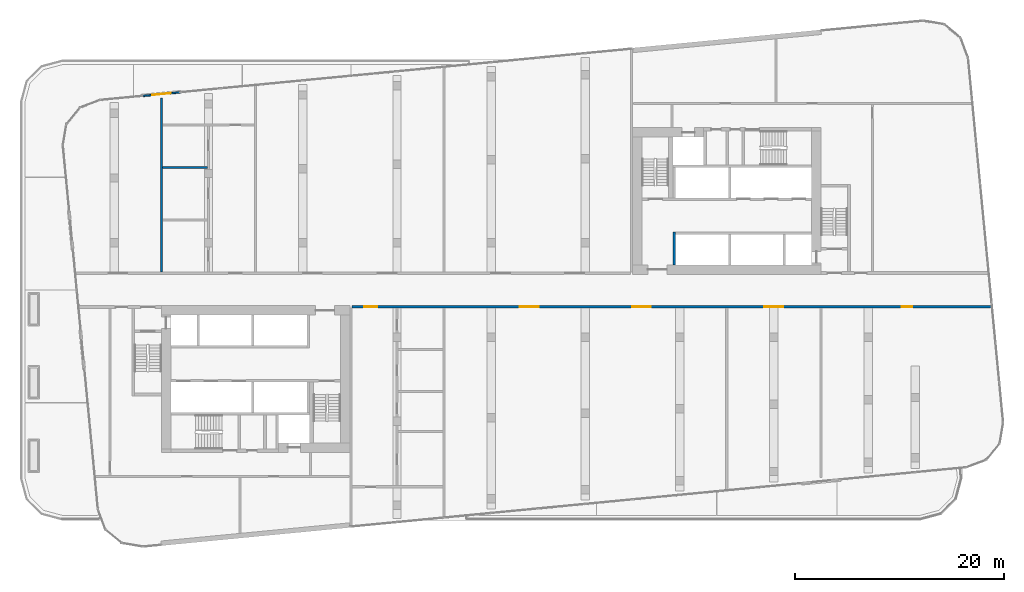
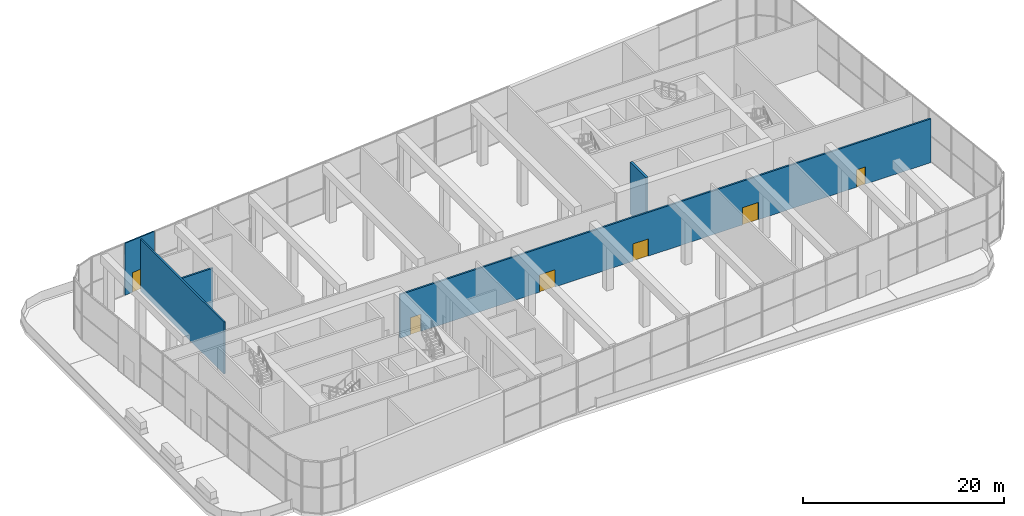
# One storey, part 14 of 25: 6 doors, 5 walls, 6 openings.
"""IFC4 building model written with IfcOpenShell, lengths in metres."""

import ifcopenshell
import ifcopenshell.guid

model = None  # the IFC model being written
_history = None  # IfcOwnerHistory: only IFC2X3 demands one
_inside = {}  # id of a spatial element -> (the spatial element, [elements in it])
_under = {}  # id of a project, library or spatial element -> (it, [spatial elements below it])
_declared = {}  # id of a project -> (the project, [libraries it declares])
_typed = {}  # id of a type object -> (the type object, [elements of that type])
_made_of = {}  # id of a material, layer set ... -> (it, [elements and type objects made of it])


def new_model(schema):
    """Start an empty IFC model of exactly this schema.

    Asked for "IFC4X3", IfcOpenShell would pick the latest addendum, in which some entities
    have other attributes; the version numbers below select the first issue.
    IFC2X3 requires an IfcOwnerHistory on every rooted entity: one is made here for all.
    """
    global model, _history
    if schema == "IFC4X3":
        model = ifcopenshell.file(schema_version=(4, 3, 0, 0))
    else:
        model = ifcopenshell.file(schema=schema)
    _inside.clear()
    _under.clear()
    _declared.clear()
    _typed.clear()
    _made_of.clear()
    _history = None
    if model.schema == "IFC2X3":
        org = make("IfcOrganization", Name="unknown")
        user = make(
            "IfcPersonAndOrganization",
            ThePerson=make("IfcPerson", FamilyName="unknown"),
            TheOrganization=org,
        )
        app = make(
            "IfcApplication",
            ApplicationDeveloper=org,
            Version="unknown",
            ApplicationFullName="unknown",
            ApplicationIdentifier="unknown",
        )
        _history = make(
            "IfcOwnerHistory",
            OwningUser=user,
            OwningApplication=app,
            ChangeAction="ADDED",
            CreationDate=0,
        )
    return model


def make(cls, **values):
    """One entity of the class cls with the attributes given. An attribute that is None is left unset."""
    return model.create_entity(
        cls, **{name: value for name, value in values.items() if value is not None}
    )


def rooted(cls, **values):
    """An entity with a GlobalId (a new one), such as an element, a storey or a relation."""
    return make(cls, GlobalId=ifcopenshell.guid.new(), OwnerHistory=_history, **values)


def si_unit(unit_type, name, prefix=None):
    """IfcSIUnit, for example si_unit("LENGTHUNIT", "METRE", prefix="MILLI")."""
    return make("IfcSIUnit", UnitType=unit_type, Prefix=prefix, Name=name)


def assignment(units):
    """IfcUnitAssignment: the units of a project."""
    return None if units is None else make("IfcUnitAssignment", Units=units)


def point(xyz):
    """IfcCartesianPoint."""
    return None if xyz is None else make("IfcCartesianPoint", Coordinates=xyz)


def direction(xyz):
    """IfcDirection."""
    return None if xyz is None else make("IfcDirection", DirectionRatios=xyz)


def frame(location, z_axis=None, x_axis=None):
    """IfcAxis2Placement3D, a coordinate frame: its origin and axes. An axis left out is left unset."""
    return make(
        "IfcAxis2Placement3D",
        Location=point(location),
        Axis=direction(z_axis),
        RefDirection=direction(x_axis),
    )


def frame_2d(location, x_axis=None):
    """IfcAxis2Placement2D, a coordinate frame in the plane: its origin and x axis."""
    return make(
        "IfcAxis2Placement2D", Location=point(location), RefDirection=direction(x_axis)
    )


def origin():
    """The frame at (0, 0, 0) with its axes left unset."""
    return frame((0.0, 0.0, 0.0))


def place(relative_to, where):
    """IfcLocalPlacement: puts the frame where relative to a parent placement (None: the world)."""
    return make(
        "IfcLocalPlacement", PlacementRelTo=relative_to, RelativePlacement=where
    )


def context(
    kind, dimensions, precision=None, world=None, true_north=None, identifier=None
):
    """IfcGeometricRepresentationContext, for example the 3D "Model" context."""
    return make(
        "IfcGeometricRepresentationContext",
        ContextIdentifier=identifier,
        ContextType=kind,
        CoordinateSpaceDimension=dimensions,
        Precision=precision,
        WorldCoordinateSystem=world,
        TrueNorth=true_north,
    )


def subcontext(parent, identifier, kind, view, scale=None):
    """IfcGeometricRepresentationSubContext, for example "Body" below "Model"."""
    return make(
        "IfcGeometricRepresentationSubContext",
        ContextIdentifier=identifier,
        ContextType=kind,
        ParentContext=parent,
        TargetScale=scale,
        TargetView=view,
    )


def project(units=None, contexts=None):
    """IfcProject with its units and contexts."""
    return rooted(
        "IfcProject",
        Name="project",
        RepresentationContexts=contexts,
        UnitsInContext=assignment(units),
    )


def spatial(cls, under=None, at=None, **own):
    """A site, building, storey or space (cls), placed at a placement, below another one or the project."""
    s = rooted(cls, ObjectPlacement=at, **own)
    if under is not None:
        _under.setdefault(under.id(), (under, []))[1].append(s)
    return s


def profile(cls, at=None, kind="AREA", **sizes):
    """A parametric profile (cls). Its sizes go by their IFC names, for example OverallWidth=200.0."""
    return make(cls, ProfileType=kind, Position=at, **sizes)


def rectangle(**sizes):
    """IfcRectangleProfileDef."""
    return profile("IfcRectangleProfileDef", **sizes)


def extrude(swept, where, along, depth):
    """IfcExtrudedAreaSolid: the profile swept, set in the frame where, extruded along a direction by depth."""
    return make(
        "IfcExtrudedAreaSolid",
        SweptArea=swept,
        Position=where,
        ExtrudedDirection=direction(along),
        Depth=depth,
    )


def shape(context_of_items, identifier, shape_type, items):
    """IfcShapeRepresentation: the items that make up one representation, for example the "Body"."""
    return make(
        "IfcShapeRepresentation",
        ContextOfItems=context_of_items,
        RepresentationIdentifier=identifier,
        RepresentationType=shape_type,
        Items=items,
    )


def material(Name=None, Category=None):
    """IfcMaterial."""
    return make("IfcMaterial", Name=Name, Category=Category)


def layer(
    of_material, thickness, ventilated=None, Name=None, Category=None, Priority=None
):
    """IfcMaterialLayer: one layer of a wall or slab, of a material (None: an air gap)."""
    return make(
        "IfcMaterialLayer",
        Material=of_material,
        LayerThickness=thickness,
        IsVentilated=ventilated,
        Name=Name,
        Category=Category,
        Priority=Priority,
    )


def layer_set(layers, Name=None):
    """IfcMaterialLayerSet."""
    return make("IfcMaterialLayerSet", MaterialLayers=layers, LayerSetName=Name)


def made_of(thing, what):
    """Note that an element or type object is made of a material, layer set ...; save() writes the relation."""
    if what is not None:
        _made_of.setdefault(what.id(), (what, []))[1].append(thing)
    return thing


def type_object(cls, material=None, **own):
    """A type object (cls), such as IfcWallType, which elements share."""
    return made_of(rooted(cls, **own), material)


def element(
    cls,
    number,
    at=None,
    inside=None,
    cuts=None,
    type_object=None,
    material=None,
    context=None,
    identifier="Body",
    shape_type=None,
    held_by="IfcProductDefinitionShape",
    body=None,
    shapes=None,
    **own,
):
    """One element of the class cls, such as IfcWall. Its Tag is "e" and its number.

    at: its placement. inside: the storey or other place that contains it. cuts: it is an
    opening in that element (IfcRelVoidsElement). A single representation is given by context,
    identifier, shape_type and body (its items); several are given by shapes. held_by: the class
    of the entity that holds the representations. save() writes the other relations.
    """
    e = rooted(cls, Tag="e%d" % number, ObjectPlacement=at, **own)
    if body is not None:
        shapes = [shape(context, identifier, shape_type, body)]
    if shapes is not None:
        e.Representation = make(held_by, Representations=shapes)
    if inside is not None:
        _inside.setdefault(inside.id(), (inside, []))[1].append(e)
    if cuts is not None:
        rooted(
            "IfcRelVoidsElement", RelatingBuildingElement=cuts, RelatedOpeningElement=e
        )
    if type_object is not None:
        _typed.setdefault(type_object.id(), (type_object, []))[1].append(e)
    return made_of(e, material)


def fill(opening, filler):
    """IfcRelFillsElement: the door or window that sits in an opening."""
    return rooted(
        "IfcRelFillsElement",
        RelatingOpeningElement=opening,
        RelatedBuildingElement=filler,
    )


def aggregate(whole, parts):
    """IfcRelAggregates: a whole, such as a stair, and the parts it consists of."""
    return rooted("IfcRelAggregates", RelatingObject=whole, RelatedObjects=parts)


def save(model, path):
    """Write the relations noted so far, then the file.

    IfcRelAggregates (storeys below a building ...), IfcRelContainedInSpatialStructure (elements
    in a storey), IfcRelDefinesByType, IfcRelAssociatesMaterial and IfcRelDeclares: one each for
    every whole, place, type object, material and project.
    """
    for whole, parts in _under.values():
        aggregate(whole, parts)
    for where, things in _inside.values():
        rooted(
            "IfcRelContainedInSpatialStructure",
            RelatedElements=things,
            RelatingStructure=where,
        )
    for kind, things in _typed.values():
        rooted("IfcRelDefinesByType", RelatedObjects=things, RelatingType=kind)
    for what, things in _made_of.values():
        rooted("IfcRelAssociatesMaterial", RelatedObjects=things, RelatingMaterial=what)
    for by, libraries in _declared.values():
        rooted("IfcRelDeclares", RelatingContext=by, RelatedDefinitions=libraries)
    model.write(path)


model = new_model("IFC4")

# Units and contexts
model_context = context("Model", 3, precision=1e-05, world=origin(), true_north=direction((0.0, 1.0)))
body_context = subcontext(model_context, "Body", "Model", "MODEL_VIEW")
ifc_project = project(units=[si_unit("LENGTHUNIT", "METRE"), si_unit("AREAUNIT", "SQUARE_METRE"), si_unit("VOLUMEUNIT", "CUBIC_METRE"), si_unit("PLANEANGLEUNIT", "RADIAN"), si_unit("MASSUNIT", "GRAM", prefix="KILO")], contexts=[model_context])

# Site, building, storey
site_placement = place(None, origin())
site = spatial("IfcSite", under=ifc_project, at=site_placement, CompositionType="ELEMENT")
building_placement = place(site_placement, origin())
building = spatial("IfcBuilding", under=site, at=building_placement, Name="Kajstack Hotel Tower", CompositionType="ELEMENT")
storey_placement = place(building_placement, frame((0.0, 0.0, 104.199951171875)))
storey = spatial("IfcBuildingStorey", under=building, at=storey_placement, Name="L22", CompositionType="ELEMENT", Elevation=104.199951171875)

# Wall, opening, door
ifc_material_1 = material(Name="Aluminium", Category="aluminium")
ifc_layer_1 = layer(ifc_material_1, 0.14990234375)
ifc_layer_set_1 = layer_set([ifc_layer_1], Name="EW-FRAME")
wall_type_1 = type_object("IfcWallType", Name="EW-FRAME", PredefinedType="SOLIDWALL", material=ifc_layer_set_1)
wall_1_placement = place(storey_placement, frame((-29.701171875, 18.879150390625, 0.0), z_axis=(0.0, 0.0, 1.0), x_axis=(-0.995391243109, -0.09589720091, 0.0)))
wall_1 = element("IfcWall", 1, at=wall_1_placement, inside=storey, type_object=wall_type_1, Name="E-wall-L22-12-03", PredefinedType="SOLIDWALL", context=body_context, shape_type="SweptSolid", body=[
    extrude(rectangle(XDim=3.599853515625, YDim=0.14990234375, at=frame_2d((1.7998046875, 0.0))), origin(), (0.0, 0.0, 1.0), 6.320068359375),
])
opening_1_placement = place(wall_1_placement, frame((0.89990234375, 0.0, 0.0)))
opening_1 = element("IfcOpeningElement", 2, at=opening_1_placement, cuts=wall_1, Name="Opening TD1", PredefinedType="OPENING", context=body_context, shape_type="SweptSolid", body=[
    extrude(rectangle(XDim=1.800048828125, YDim=2.39990234375, at=frame_2d((0.89990234375, 1.199951171875))), frame((0.0, 0.0849609375, 0.0), z_axis=(0.0, -1.0, 0.0), x_axis=(1.0, 0.0, 0.0)), (0.0, 0.0, 1.0), 0.169921875),
])
ifc_material_2 = material(Name="Timber-aluminium door", Category="wood")
door_type_1 = type_object("IfcDoorType", Name="DOOR-TERRACE", OperationType="DOUBLE_DOOR_SINGLE_SWING", PredefinedType="DOOR", material=ifc_material_2)
door_1_placement = place(opening_1_placement, origin())
door_1 = element("IfcDoor", 3, at=door_1_placement, inside=storey, type_object=door_type_1, Name="Terrace door L22-12", OperationType="SINGLE_SWING_LEFT", OverallHeight=2.39990234375, OverallWidth=1.800048828125, PredefinedType="DOOR", context=body_context, shape_type="SweptSolid", body=[
    extrude(rectangle(XDim=1.800048828125, YDim=2.39990234375, at=frame_2d((0.89990234375, 1.199951171875))), frame((0.0, 0.02490234375, 0.0), z_axis=(0.0, -1.0, 0.0), x_axis=(1.0, 0.0, 0.0)), (0.0, 0.0, 1.0), 0.050048828125),
])
fill(opening_1, door_1)

# Walls
ifc_material_3 = material(Name="Gypsum board on steel studs, mineral wool", Category="steel")
ifc_layer_2 = layer(ifc_material_3, 0.199951171875)
ifc_layer_set_2 = layer_set([ifc_layer_2], Name="Public partition 200")
wall_type_2 = type_object("IfcWallType", Name="Public partition 200", PredefinedType="PARTITIONING", material=ifc_layer_set_2)
wall_2_placement = place(storey_placement, frame((-31.39990234375, 11.699951171875, 0.0), z_axis=(0.0, 0.0, 1.0), x_axis=(1.0, 0.0, 0.0)))
element("IfcWall", 4, at=wall_2_placement, inside=storey, type_object=wall_type_2, Name="Partition C2wP1", PredefinedType="PARTITIONING", context=body_context, shape_type="SweptSolid", body=[
    extrude(rectangle(XDim=4.2998046875, YDim=0.199951171875, at=frame_2d((2.14990234375, 0.0))), origin(), (0.0, 0.0, 1.0), 5.320068359375),
])
wall_3_placement = place(storey_placement, frame((-31.5, 1.699951171875, 0.0), z_axis=(0.0, 0.0, 1.0), x_axis=(0.0, 1.0, 0.0)))
element("IfcWall", 5, at=wall_3_placement, inside=storey, type_object=wall_type_2, Name="Partition PX2", PredefinedType="PARTITIONING", context=body_context, shape_type="SweptSolid", body=[
    extrude(rectangle(XDim=16.629150390625, YDim=0.199951171875, at=frame_2d((8.314453125, 0.0))), origin(), (0.0, 0.0, 1.0), 6.320068359375),
])

# Wall, openings, doors
wall_4_placement = place(storey_placement, frame((-13.300048828125, -1.60009765625, 0.0), z_axis=(0.0, 0.0, 1.0), x_axis=(1.0, 0.0, 0.0)))
wall_4 = element("IfcWall", 6, at=wall_4_placement, inside=storey, type_object=wall_type_2, Name="Partition SFW", PredefinedType="PARTITIONING", context=body_context, shape_type="SweptSolid", body=[
    extrude(rectangle(XDim=61.062255859375, YDim=0.199951171875, at=frame_2d((30.53125, 0.0))), origin(), (0.0, 0.0, 1.0), 5.320068359375),
])
opening_2_placement = place(wall_4_placement, frame((1.199951171875, 0.0, 0.0)))
opening_2 = element("IfcOpeningElement", 7, at=opening_2_placement, cuts=wall_4, Name="Opening 22P11", PredefinedType="OPENING", context=body_context, shape_type="SweptSolid", body=[
    extrude(rectangle(XDim=1.199951171875, YDim=2.10009765625, at=frame_2d((0.60009765625, 1.050048828125))), frame((0.0, 0.10986328125, 0.0), z_axis=(0.0, -1.0, 0.0), x_axis=(1.0, 0.0, 0.0)), (0.0, 0.0, 1.0), 0.219970703125),
])
opening_3_placement = place(wall_4_placement, frame((16.0400390625, 0.0, 0.0)))
opening_3 = element("IfcOpeningElement", 8, at=opening_3_placement, cuts=wall_4, Name="Opening 22P17", PredefinedType="OPENING", context=body_context, shape_type="SweptSolid", body=[
    extrude(rectangle(XDim=1.800048828125, YDim=2.10009765625, at=frame_2d((0.89990234375, 1.050048828125))), frame((0.0, 0.10986328125, 0.0), z_axis=(0.0, -1.0, 0.0), x_axis=(1.0, 0.0, 0.0)), (0.0, 0.0, 1.0), 0.219970703125),
])
opening_4_placement = place(wall_4_placement, frame((26.760009765625, 0.0, 0.0)))
opening_4 = element("IfcOpeningElement", 9, at=opening_4_placement, cuts=wall_4, Name="Opening 22P18", PredefinedType="OPENING", context=body_context, shape_type="SweptSolid", body=[
    extrude(rectangle(XDim=1.800048828125, YDim=2.10009765625, at=frame_2d((0.89990234375, 1.050048828125))), frame((0.0, 0.10986328125, 0.0), z_axis=(0.0, -1.0, 0.0), x_axis=(1.0, 0.0, 0.0)), (0.0, 0.0, 1.0), 0.219970703125),
])
opening_5_placement = place(wall_4_placement, frame((39.39990234375, 0.0, 0.0)))
opening_5 = element("IfcOpeningElement", 10, at=opening_5_placement, cuts=wall_4, Name="Opening 22P19", PredefinedType="OPENING", context=body_context, shape_type="SweptSolid", body=[
    extrude(rectangle(XDim=1.800048828125, YDim=2.10009765625, at=frame_2d((0.89990234375, 1.050048828125))), frame((0.0, 0.10986328125, 0.0), z_axis=(0.0, -1.0, 0.0), x_axis=(1.0, 0.0, 0.0)), (0.0, 0.0, 1.0), 0.219970703125),
])
opening_6_placement = place(wall_4_placement, frame((52.493896484375, 0.0, 0.0)))
opening_6 = element("IfcOpeningElement", 11, at=opening_6_placement, cuts=wall_4, Name="Opening 22P20", PredefinedType="OPENING", context=body_context, shape_type="SweptSolid", body=[
    extrude(rectangle(XDim=1.0, YDim=2.10009765625, at=frame_2d((0.5, 1.050048828125))), frame((0.0, 0.10986328125, 0.0), z_axis=(0.0, -1.0, 0.0), x_axis=(1.0, 0.0, 0.0)), (0.0, 0.0, 1.0), 0.219970703125),
])
ifc_material_4 = material(Name="Timber leaf, fire-rated", Category="wood")
door_type_2 = type_object("IfcDoorType", Name="Public corridor door 1200", OperationType="SINGLE_SWING_LEFT", PredefinedType="DOOR", material=ifc_material_4)
door_2_placement = place(opening_2_placement, origin())
door_2 = element("IfcDoor", 12, at=door_2_placement, inside=storey, type_object=door_type_2, Name="Door 22P11", OperationType="SINGLE_SWING_RIGHT", OverallHeight=2.10009765625, OverallWidth=1.199951171875, PredefinedType="DOOR", context=body_context, shape_type="SweptSolid", body=[
    extrude(rectangle(XDim=1.199951171875, YDim=2.10009765625, at=frame_2d((0.60009765625, 1.050048828125))), frame((0.0, 0.02490234375, 0.0), z_axis=(0.0, -1.0, 0.0), x_axis=(1.0, 0.0, 0.0)), (0.0, 0.0, 1.0), 0.050048828125),
])
fill(opening_2, door_2)
ifc_material_5 = material(Name="Glazed timber frame, fire-rated glass", Category="wood")
door_type_3 = type_object("IfcDoorType", Name="Public double door 1800", OperationType="DOUBLE_DOOR_DOUBLE_SWING", PredefinedType="DOOR", material=ifc_material_5)
door_3_placement = place(opening_3_placement, origin())
door_3 = element("IfcDoor", 13, at=door_3_placement, inside=storey, type_object=door_type_3, Name="Door 22P17", OperationType="DOUBLE_DOOR_DOUBLE_SWING", OverallHeight=2.10009765625, OverallWidth=1.800048828125, PredefinedType="DOOR", context=body_context, shape_type="SweptSolid", body=[
    extrude(rectangle(XDim=1.800048828125, YDim=2.10009765625, at=frame_2d((0.89990234375, 1.050048828125))), frame((0.0, 0.02490234375, 0.0), z_axis=(0.0, -1.0, 0.0), x_axis=(1.0, 0.0, 0.0)), (0.0, 0.0, 1.0), 0.050048828125),
])
fill(opening_3, door_3)
door_4_placement = place(opening_4_placement, origin())
door_4 = element("IfcDoor", 14, at=door_4_placement, inside=storey, type_object=door_type_3, Name="Door 22P18", OperationType="DOUBLE_DOOR_DOUBLE_SWING", OverallHeight=2.10009765625, OverallWidth=1.800048828125, PredefinedType="DOOR", context=body_context, shape_type="SweptSolid", body=[
    extrude(rectangle(XDim=1.800048828125, YDim=2.10009765625, at=frame_2d((0.89990234375, 1.050048828125))), frame((0.0, 0.02490234375, 0.0), z_axis=(0.0, -1.0, 0.0), x_axis=(1.0, 0.0, 0.0)), (0.0, 0.0, 1.0), 0.050048828125),
])
fill(opening_4, door_4)
door_5_placement = place(opening_5_placement, origin())
door_5 = element("IfcDoor", 15, at=door_5_placement, inside=storey, type_object=door_type_3, Name="Door 22P19", OperationType="DOUBLE_DOOR_DOUBLE_SWING", OverallHeight=2.10009765625, OverallWidth=1.800048828125, PredefinedType="DOOR", context=body_context, shape_type="SweptSolid", body=[
    extrude(rectangle(XDim=1.800048828125, YDim=2.10009765625, at=frame_2d((0.89990234375, 1.050048828125))), frame((0.0, 0.02490234375, 0.0), z_axis=(0.0, -1.0, 0.0), x_axis=(1.0, 0.0, 0.0)), (0.0, 0.0, 1.0), 0.050048828125),
])
fill(opening_5, door_5)
ifc_material_6 = material(Name="Timber leaf", Category="wood")
door_type_4 = type_object("IfcDoorType", Name="Public room door 1000", OperationType="SINGLE_SWING_LEFT", PredefinedType="DOOR", material=ifc_material_6)
door_6_placement = place(opening_6_placement, origin())
door_6 = element("IfcDoor", 16, at=door_6_placement, inside=storey, type_object=door_type_4, Name="Door 22P20", OperationType="SINGLE_SWING_RIGHT", OverallHeight=2.10009765625, OverallWidth=1.0, PredefinedType="DOOR", context=body_context, shape_type="SweptSolid", body=[
    extrude(rectangle(XDim=1.0, YDim=2.10009765625, at=frame_2d((0.5, 1.050048828125))), frame((0.0, 0.02490234375, 0.0), z_axis=(0.0, -1.0, 0.0), x_axis=(1.0, 0.0, 0.0)), (0.0, 0.0, 1.0), 0.050048828125),
])
fill(opening_6, door_6)

# Wall
ifc_material_7 = material(Name="Concrete C50/60", Category="concrete")
ifc_layer_3 = layer(ifc_material_7, 0.25)
ifc_layer_set_3 = layer_set([ifc_layer_3], Name="Shaft wall 250")
wall_type_3 = type_object("IfcWallType", Name="Shaft wall 250", PredefinedType="SHEAR", material=ifc_layer_set_3)
wall_5_placement = place(storey_placement, frame((17.47509765625, 2.39990234375, 0.0), z_axis=(0.0, 0.0, 1.0), x_axis=(0.0, 1.0, 0.0)))
element("IfcWall", 17, at=wall_5_placement, inside=storey, type_object=wall_type_3, Name="Core wall E AE", PredefinedType="SHEAR", context=body_context, shape_type="SweptSolid", body=[
    extrude(rectangle(XDim=3.150146484375, YDim=0.25, at=frame_2d((1.5751953125, 0.0))), origin(), (0.0, 0.0, 1.0), 6.320068359375),
])

save(model, "model.ifc")
